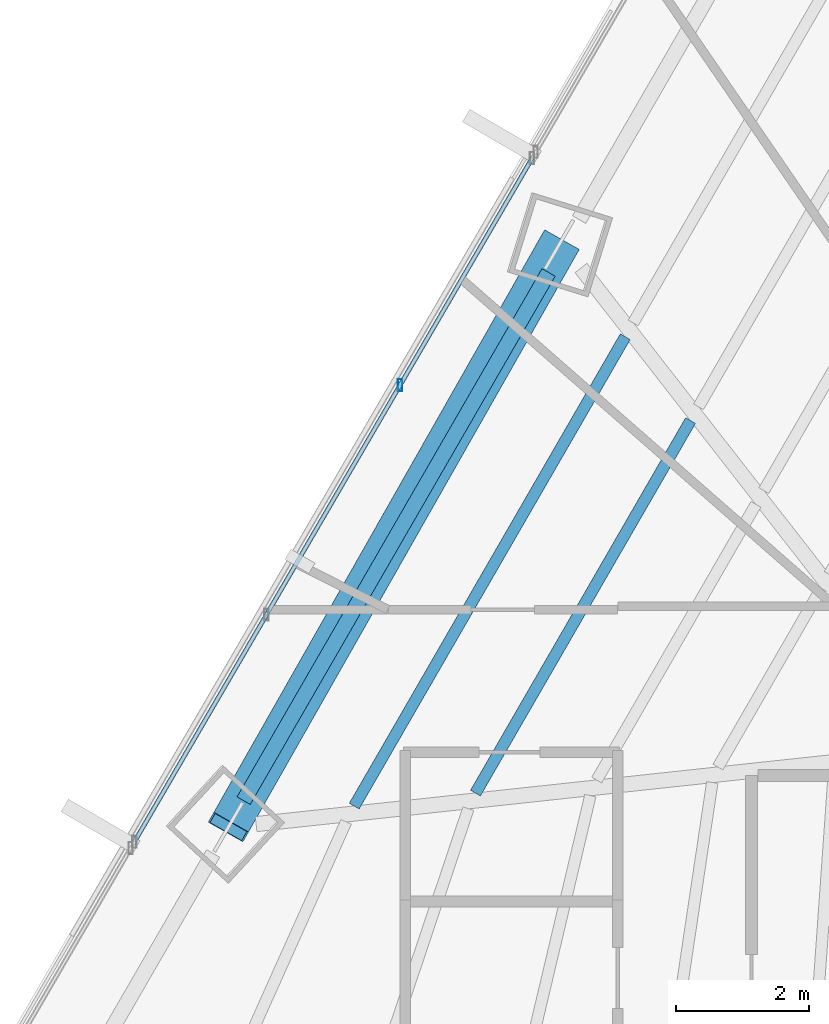
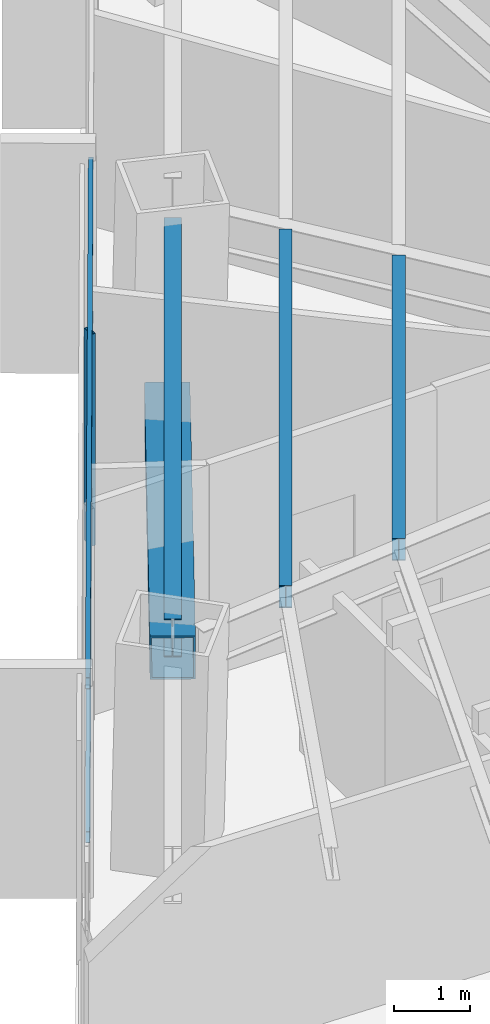
# One storey, part 14 of 36: 4 members, 3 beams, 1 element without a shape of its own.
"""IFC4 building model written with IfcOpenShell, lengths in metres."""

from ifc_helpers import new_model, si_unit, direction, frame, origin, origin_2d, place, context, subcontext, project, spatial, hollow_rectangle, i_section, extrude, source, transform, mapped, material, material_profile, profile_set, type_object, type_shapes, element, aggregate, save


model = new_model("IFC4")

# Units and contexts
model_context = context("Model", 3, precision=1e-05, world=origin(), true_north=direction((0.0, 1.0)))
body_context = subcontext(model_context, "Body", "Model", "MODEL_VIEW")
ifc_project = project(units=[si_unit("LENGTHUNIT", "METRE"), si_unit("AREAUNIT", "SQUARE_METRE"), si_unit("VOLUMEUNIT", "CUBIC_METRE"), si_unit("PLANEANGLEUNIT", "RADIAN"), si_unit("MASSUNIT", "GRAM", prefix="KILO")], contexts=[model_context])

# Site, building, storey
site_placement = place(None, origin())
site = spatial("IfcSite", under=ifc_project, at=site_placement, CompositionType="ELEMENT")
building_placement = place(site_placement, origin())
building = spatial("IfcBuilding", under=site, at=building_placement, Name="Caelisora Broadcast Tower", CompositionType="ELEMENT")
storey_placement = place(building_placement, frame((0.0, 0.0, 64.10009765625)))
storey = spatial("IfcBuildingStorey", under=building, at=storey_placement, Name="L16", CompositionType="ELEMENT", Elevation=64.10009765625)

# Beams
ifc_material_1 = material(Name="Steel Grade 350 (AS/NZS 3679.1)", Category="steel")
ifc_material_profile_1 = material_profile(ifc_material_1, i_section(OverallWidth=0.22900390625, OverallDepth=0.611572265625, WebThickness=0.011962890625, FlangeThickness=0.01953125, at=origin_2d()), Name="Steel Grade 350 (AS/NZS 3679.1)")
ifc_profile_set_1 = profile_set([ifc_material_profile_1], Name="Steel Grade 350 (AS/NZS 3679.1)")
beam_type_1 = type_object("IfcBeamType", Name="PG03", PredefinedType="BEAM", material=ifc_profile_set_1)
shared_shape_1 = source(origin(), body_context, "Body", "SweptSolid", [
    extrude(i_section(OverallWidth=0.22900390625, OverallDepth=0.611572265625, WebThickness=0.011962890625, FlangeThickness=0.01953125, at=origin_2d()), origin(), (0.0, 0.0, 1.0), 9.1953125),
])
type_shapes(beam_type_1, [shared_shape_1])
beam_1_placement = place(storey_placement, frame((24.35986328125, 37.18408203125, 3.093994140625), z_axis=(-0.499999779356, -0.866025531173, 0.0), x_axis=(0.866025531173, -0.499999779356, 0.0)))
element("IfcBeam", 1, at=beam_1_placement, inside=storey, type_object=beam_type_1, Name="L16 beam PG03", PredefinedType="BEAM", context=body_context, shape_type="MappedRepresentation", body=[
    mapped(shared_shape_1, transform((0.0, 0.0, 0.0), scale=1.0)),
])
ifc_material_profile_2 = material_profile(ifc_material_1, i_section(OverallWidth=0.172119140625, OverallDepth=0.358642578125, WebThickness=0.008056640625, FlangeThickness=0.012939453125, at=origin_2d()), Name="Steel Grade 350 (AS/NZS 3679.1)")
ifc_profile_set_2 = profile_set([ifc_material_profile_2], Name="Steel Grade 350 (AS/NZS 3679.1)")
beam_type_2 = type_object("IfcBeamType", Name="SB02", PredefinedType="JOIST", material=ifc_profile_set_2)
shared_shape_2 = source(origin(), body_context, "Body", "SweptSolid", [
    extrude(i_section(OverallWidth=0.172119140625, OverallDepth=0.358642578125, WebThickness=0.008056640625, FlangeThickness=0.012939453125, at=origin_2d()), origin(), (0.0, 0.0, 1.0), 6.485595703125),
])
beam_2_placement = place(storey_placement, frame((26.5, 34.951171875, 3.220703125), z_axis=(-0.50001354319, -0.866017584479, 0.0), x_axis=(0.866017584479, -0.50001354319, 0.0)))
element("IfcBeam", 2, at=beam_2_placement, inside=storey, type_object=beam_type_2, Name="L16 beam SB02", PredefinedType="JOIST", context=body_context, shape_type="MappedRepresentation", body=[
    mapped(shared_shape_2, transform((0.0, 0.0, 0.0), scale=1.0)),
])
shared_shape_3 = source(origin(), body_context, "Body", "SweptSolid", [
    extrude(i_section(OverallWidth=0.172119140625, OverallDepth=0.358642578125, WebThickness=0.008056640625, FlangeThickness=0.012939453125, at=origin_2d()), origin(), (0.0, 0.0, 1.0), 8.17138671875),
])
type_shapes(beam_type_2, [shared_shape_2, shared_shape_3])
beam_3_placement = place(storey_placement, frame((25.514892578125, 36.21484375, 3.220703125), z_axis=(-0.499998321575, -0.866026372821, 0.0), x_axis=(0.866026372821, -0.499998321575, 0.0)))
element("IfcBeam", 3, at=beam_3_placement, inside=storey, type_object=beam_type_2, Name="L16 beam SB02", PredefinedType="JOIST", context=body_context, shape_type="MappedRepresentation", body=[
    mapped(shared_shape_3, transform((0.0, 0.0, 0.0), scale=1.0)),
])

# Member
ifc_material_2 = material(Name="Steel Grade 450 L15 (AS/NZS 3678)", Category="steel")
ifc_material_profile_3 = material_profile(ifc_material_2, hollow_rectangle(XDim=0.60009765625, YDim=0.60009765625, WallThickness=0.02490234375, at=origin_2d()), Name="Steel Grade 450 L15 (AS/NZS 3678)")
ifc_profile_set_3 = profile_set([ifc_material_profile_3], Name="Steel Grade 450 L15 (AS/NZS 3678)")
member_type_1 = type_object("IfcMemberType", Name="BR01", PredefinedType="BRACE", material=ifc_profile_set_3)
shared_shape_4 = source(origin(), body_context, "Body", "SweptSolid", [
    extrude(hollow_rectangle(XDim=0.60009765625, YDim=0.60009765625, WallThickness=0.02490234375, at=origin_2d()), origin(), (0.0, 0.0, 1.0), 10.535400390625),
])
type_shapes(member_type_1, [shared_shape_4])
member_1_placement = place(storey_placement, frame((24.51904296875, 37.6044921875, 0.099853515625), z_axis=(-0.47333653365, -0.83358767201, 0.284752733061), x_axis=(0.869587732831, -0.493778467442, 0.0)))
element("IfcMember", 4, at=member_1_placement, inside=storey, type_object=member_type_1, Name="L16 perimeter brace BR01", PredefinedType="BRACE", context=body_context, shape_type="MappedRepresentation", body=[
    mapped(shared_shape_4, transform((0.0, 0.0, 0.0), scale=1.0)),
])

# Curtain wall, members
ifc_material_3 = material(Name="Unitised Aluminium Insulated Shadow-Box Spandrel Curtain Wall", Category="aluminium")
curtain_wall_type = type_object("IfcCurtainWallType", Name="CW-SP1", PredefinedType="NOTDEFINED", material=ifc_material_3)
curtain_wall_placement = place(storey_placement, origin())
curtain_wall = element("IfcCurtainWall", 5, at=curtain_wall_placement, inside=storey, type_object=curtain_wall_type, Name="L16 curtain wall CW-SP1", PredefinedType="NOTDEFINED")
ifc_material_4 = material(Name="Aluminium 6063-T6 Anodised Terracotta Bronze", Category="aluminium")
ifc_material_profile_4 = material_profile(ifc_material_4, hollow_rectangle(XDim=0.06494140625, YDim=0.179931640625, WallThickness=0.00341796875, at=origin_2d()), Name="Aluminium 6063-T6 Anodised Terracotta Bronze")
ifc_profile_set_4 = profile_set([ifc_material_profile_4], Name="Aluminium 6063-T6 Anodised Terracotta Bronze")
member_type_2 = type_object("IfcMemberType", Name="CWM-02", PredefinedType="MULLION", material=ifc_profile_set_4)
shared_shape_5 = source(origin(), body_context, "Body", "SweptSolid", [
    extrude(hollow_rectangle(XDim=0.06494140625, YDim=0.179931640625, WallThickness=0.00341796875, at=origin_2d()), origin(), (0.0, 0.0, 1.0), 3.39990234375),
])
type_shapes(member_type_2, [shared_shape_5])
member_2_placement = place(storey_placement, frame((22.121337890625, 35.4853515625, 0.0), z_axis=(0.0, 0.0, 1.0), x_axis=(1.0, 0.0, 0.0)))
member_2 = element("IfcMember", 6, at=member_2_placement, type_object=member_type_2, Name="L16-CW-B10 mullion #2", PredefinedType="MULLION", context=body_context, shape_type="MappedRepresentation", body=[
    mapped(shared_shape_5, transform((0.0, 0.0, 0.0), scale=1.0)),
])
ifc_material_profile_5 = material_profile(ifc_material_4, hollow_rectangle(XDim=0.06494140625, YDim=0.179931640625, WallThickness=0.00341796875, at=origin_2d()), Name="Aluminium 6063-T6 Anodised Terracotta Bronze")
ifc_profile_set_5 = profile_set([ifc_material_profile_5], Name="Aluminium 6063-T6 Anodised Terracotta Bronze")
member_type_3 = type_object("IfcMemberType", Name="CWT-01", PredefinedType="USERDEFINED", material=ifc_profile_set_5)
shared_shape_6 = source(origin(), body_context, "Body", "SweptSolid", [
    extrude(hollow_rectangle(XDim=0.06494140625, YDim=0.179931640625, WallThickness=0.00341796875, at=origin_2d()), origin(), (0.0, 0.0, 1.0), 11.9228515625),
])
type_shapes(member_type_3, [shared_shape_6])
member_3_placement = place(storey_placement, frame((18.11572265625, 28.6005859375, 0.849853515625), z_axis=(0.502891631254, 0.864349470535, 0.0), x_axis=(-0.864349470535, 0.502891631254, 0.0)))
member_3 = element("IfcMember", 7, at=member_3_placement, type_object=member_type_3, Name="L16-CW-B10 transom #1", ObjectType="TRANSOM", PredefinedType="USERDEFINED", context=body_context, shape_type="MappedRepresentation", body=[
    mapped(shared_shape_6, transform((0.0, 0.0, 0.0), scale=1.0)),
])
member_4_placement = place(storey_placement, frame((18.11572265625, 28.6005859375, 3.31982421875), z_axis=(0.502891631254, 0.864349470535, 0.0), x_axis=(-0.864349470535, 0.502891631254, 0.0)))
member_4 = element("IfcMember", 8, at=member_4_placement, type_object=member_type_3, Name="L16-CW-B10 transom #2", ObjectType="TRANSOM", PredefinedType="USERDEFINED", context=body_context, shape_type="MappedRepresentation", body=[
    mapped(shared_shape_6, transform((0.0, 0.0, 0.0), scale=1.0)),
])
aggregate(curtain_wall, [member_2, member_3, member_4])

save(model, "model.ifc")
